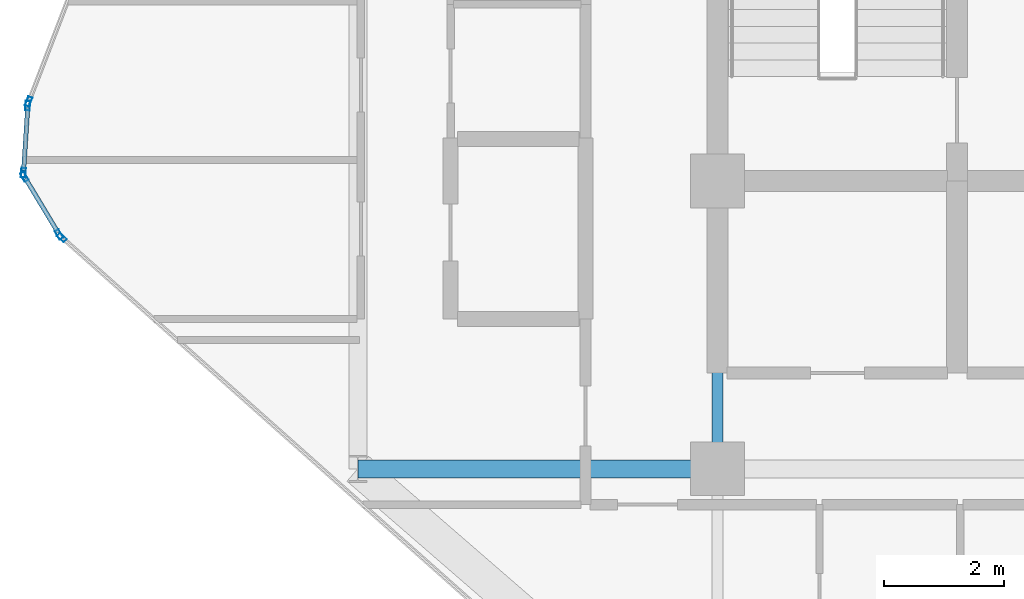
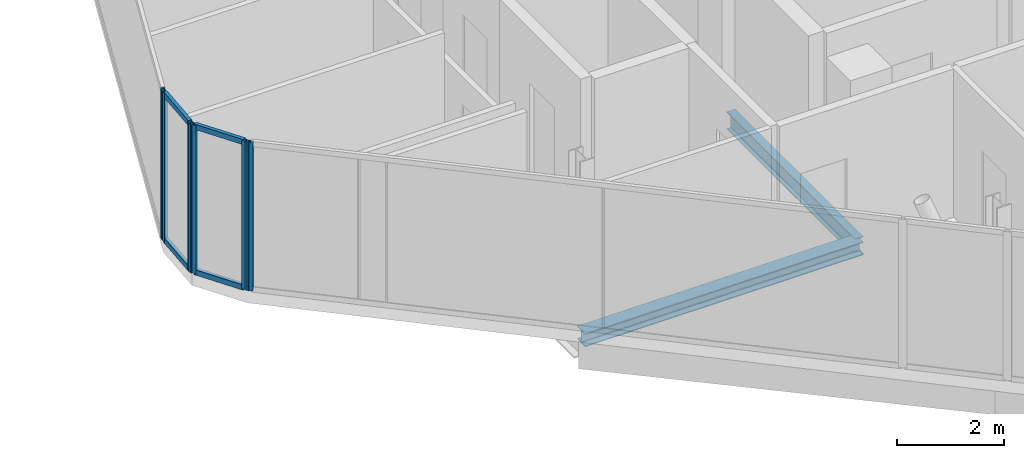
# One storey, part 8 of 29: 10 members, 2 beams, 4 elements without a shape of their own.
"""IFC4 building model written with IfcOpenShell, lengths in metres."""

from ifc_helpers import new_model, si_unit, direction, frame, origin, origin_2d, place, context, subcontext, project, spatial, hollow_rectangle, i_section, extrude, material, layer, layer_set, material_profile, profile_set, type_object, element, aggregate, save


model = new_model("IFC4")

# Units and contexts
model_context = context("Model", 3, precision=1e-05, world=origin(), true_north=direction((0.0, 1.0)))
body_context = subcontext(model_context, "Body", "Model", "MODEL_VIEW")
ifc_project = project(units=[si_unit("LENGTHUNIT", "METRE"), si_unit("AREAUNIT", "SQUARE_METRE"), si_unit("VOLUMEUNIT", "CUBIC_METRE"), si_unit("PLANEANGLEUNIT", "RADIAN"), si_unit("MASSUNIT", "GRAM", prefix="KILO")], contexts=[model_context])

# Site, building, storey
site_placement = place(None, origin())
site = spatial("IfcSite", under=ifc_project, at=site_placement, CompositionType="ELEMENT")
building_placement = place(site_placement, origin())
building = spatial("IfcBuilding", under=site, at=building_placement, Name="Keshet Zoharim Tower", CompositionType="ELEMENT")
storey_placement = place(building_placement, frame((0.0, 0.0, 192.10009765625)))
storey = spatial("IfcBuildingStorey", under=building, at=storey_placement, Name="L47", CompositionType="ELEMENT", Elevation=192.10009765625)

# Beams
ifc_material_1 = material(Name="Steel S355", Category="steel")
ifc_material_profile_1 = material_profile(ifc_material_1, i_section(OverallWidth=0.300048828125, OverallDepth=0.300048828125, WebThickness=0.010986328125, FlangeThickness=0.01904296875, FilletRadius=0.027099609375, at=origin_2d()), Name="HEB300")
ifc_profile_set_1 = profile_set([ifc_material_profile_1], Name="Steel S355")
beam_type_1 = type_object("IfcBeamType", Name="BM-PRI-HB300", PredefinedType="BEAM", material=ifc_profile_set_1)
beam_1_placement = place(storey_placement, frame((9.0, 17.89990234375, -0.460205078125), z_axis=(1.0, 0.0, 0.0), x_axis=(0.0, 1.0, 0.0)))
element("IfcBeam", 1, at=beam_1_placement, inside=storey, type_object=beam_type_1, Name="L47 Primary Girder X-011", PredefinedType="BEAM", context=body_context, shape_type="SweptSolid", body=[
    extrude(i_section(OverallWidth=0.300048828125, OverallDepth=0.300048828125, WebThickness=0.010986328125, FlangeThickness=0.01904296875, FilletRadius=0.027099609375, at=origin_2d()), origin(), (0.0, 0.0, 1.0), 6.0),
])
ifc_material_profile_2 = material_profile(ifc_material_1, i_section(OverallWidth=0.179931640625, OverallDepth=0.39990234375, WebThickness=0.008544921875, FlangeThickness=0.013427734375, FilletRadius=0.02099609375, at=origin_2d()), Name="IPE400")
ifc_profile_set_2 = profile_set([ifc_material_profile_2], Name="Steel S355")
beam_type_2 = type_object("IfcBeamType", Name="BM-PRI-IP400", PredefinedType="BEAM", material=ifc_profile_set_2)
beam_2_placement = place(storey_placement, frame((15.0, 17.89990234375, -0.510009765625), z_axis=(0.0, 1.0, 0.0), x_axis=(-1.0, 0.0, 0.0)))
element("IfcBeam", 2, at=beam_2_placement, inside=storey, type_object=beam_type_2, Name="L47 Primary Girder Y-003", PredefinedType="BEAM", context=body_context, shape_type="SweptSolid", body=[
    extrude(i_section(OverallWidth=0.179931640625, OverallDepth=0.39990234375, WebThickness=0.008544921875, FlangeThickness=0.013427734375, FilletRadius=0.02099609375, at=origin_2d()), origin(), (0.0, 0.0, 1.0), 4.800048828125),
])

# Curtain wall, member
ifc_material_2 = material(Name="Aluminium 6063-T6", Category="aluminium")
ifc_layer = layer(ifc_material_2, 0.139892578125)
ifc_layer_set = layer_set([ifc_layer], Name="Aluminium 6063-T6")
curtain_wall_type = type_object("IfcCurtainWallType", Name="CW-SYS-05", PredefinedType="NOTDEFINED", material=ifc_layer_set)
curtain_wall_1_placement = place(storey_placement, origin())
curtain_wall_1 = element("IfcCurtainWall", 3, at=curtain_wall_1_placement, inside=storey, type_object=curtain_wall_type, Name="L47 Unitised Curtain Wall 10 Part 3", PredefinedType="NOTDEFINED")
ifc_material_profile_3 = material_profile(ifc_material_2, hollow_rectangle(XDim=0.074951171875, YDim=0.159912109375, WallThickness=0.00390625, at=origin_2d()), Name="MUL-75x160")
ifc_profile_set_3 = profile_set([ifc_material_profile_3], Name="Aluminium 6063-T6")
member_type_1 = type_object("IfcMemberType", Name="CWM-M15", PredefinedType="MULLION", material=ifc_profile_set_3)
member_1_placement = place(storey_placement, frame((4.061279296875, 21.7568359375, 0.0), z_axis=(0.0, 0.0, 1.0), x_axis=(-0.664366823013, -0.747406666066, 0.0)))
member_1 = element("IfcMember", 4, at=member_1_placement, type_object=member_type_1, Name="CW-05 mullion 2", PredefinedType="MULLION", context=body_context, shape_type="SweptSolid", body=[
    extrude(hollow_rectangle(XDim=0.074951171875, YDim=0.159912109375, WallThickness=0.00390625, at=origin_2d()), origin(), (0.0, 0.0, 1.0), 3.389892578125),
])
aggregate(curtain_wall_1, [member_1])

# Curtain wall, members
curtain_wall_2_placement = place(storey_placement, origin())
curtain_wall_2 = element("IfcCurtainWall", 5, at=curtain_wall_2_placement, inside=storey, type_object=curtain_wall_type, Name="L47 Unitised Curtain Wall 11", PredefinedType="NOTDEFINED")
member_2_placement = place(storey_placement, frame((4.016845703125, 21.81005859375, 0.0), z_axis=(0.0, 0.0, 1.0), x_axis=(-0.856826433805, -0.515604947933, 0.0)))
member_2 = element("IfcMember", 6, at=member_2_placement, type_object=member_type_1, Name="CW-05 mullion 1", PredefinedType="MULLION", context=body_context, shape_type="SweptSolid", body=[
    extrude(hollow_rectangle(XDim=0.074951171875, YDim=0.159912109375, WallThickness=0.00390625, at=origin_2d()), origin(), (0.0, 0.0, 1.0), 3.389892578125),
])
member_3_placement = place(storey_placement, frame((3.43798828125, 22.77197265625, 0.0), z_axis=(0.0, 0.0, 1.0), x_axis=(-0.856826433805, -0.515604947933, 0.0)))
member_3 = element("IfcMember", 7, at=member_3_placement, type_object=member_type_1, Name="CW-05 mullion 2", PredefinedType="MULLION", context=body_context, shape_type="SweptSolid", body=[
    extrude(hollow_rectangle(XDim=0.074951171875, YDim=0.159912109375, WallThickness=0.00390625, at=origin_2d()), origin(), (0.0, 0.0, 1.0), 3.389892578125),
])

curtain_wall_3_placement = place(storey_placement, origin())
curtain_wall_3 = element("IfcCurtainWall", 8, at=curtain_wall_3_placement, inside=storey, type_object=curtain_wall_type, Name="L47 Unitised Curtain Wall 12", PredefinedType="NOTDEFINED")
member_4_placement = place(storey_placement, frame((3.42236328125, 22.8369140625, 0.0), z_axis=(0.0, 0.0, 1.0), x_axis=(-0.997916617186, 0.064516859374, 0.0)))
member_4 = element("IfcMember", 9, at=member_4_placement, type_object=member_type_1, Name="CW-05 mullion 1", PredefinedType="MULLION", context=body_context, shape_type="SweptSolid", body=[
    extrude(hollow_rectangle(XDim=0.074951171875, YDim=0.159912109375, WallThickness=0.00390625, at=origin_2d()), origin(), (0.0, 0.0, 1.0), 3.389892578125),
])
member_5_placement = place(storey_placement, frame((3.49462890625, 23.9580078125, 0.0), z_axis=(0.0, 0.0, 1.0), x_axis=(-0.997916617186, 0.064516859374, 0.0)))
member_5 = element("IfcMember", 10, at=member_5_placement, type_object=member_type_1, Name="CW-05 mullion 2", PredefinedType="MULLION", context=body_context, shape_type="SweptSolid", body=[
    extrude(hollow_rectangle(XDim=0.074951171875, YDim=0.159912109375, WallThickness=0.00390625, at=origin_2d()), origin(), (0.0, 0.0, 1.0), 3.389892578125),
])

# Curtain wall, member
curtain_wall_4_placement = place(storey_placement, origin())
curtain_wall_4 = element("IfcCurtainWall", 11, at=curtain_wall_4_placement, inside=storey, type_object=curtain_wall_type, Name="L47 Unitised Curtain Wall 13", PredefinedType="NOTDEFINED")
member_6_placement = place(storey_placement, frame((3.509521484375, 24.025634765625, 0.0), z_axis=(0.0, 0.0, 1.0), x_axis=(-0.933341404361, 0.358990003907, 0.0)))
member_6 = element("IfcMember", 12, at=member_6_placement, type_object=member_type_1, Name="CW-05 mullion 1", PredefinedType="MULLION", context=body_context, shape_type="SweptSolid", body=[
    extrude(hollow_rectangle(XDim=0.074951171875, YDim=0.159912109375, WallThickness=0.00390625, at=origin_2d()), origin(), (0.0, 0.0, 1.0), 3.389892578125),
])
aggregate(curtain_wall_4, [member_6])

# Member
ifc_material_profile_4 = material_profile(ifc_material_2, hollow_rectangle(XDim=0.074951171875, YDim=0.1201171875, WallThickness=0.00390625, at=origin_2d()), Name="TRN-75x120")
ifc_profile_set_4 = profile_set([ifc_material_profile_4], Name="Aluminium 6063-T6")
member_type_2 = type_object("IfcMemberType", Name="CWT-T12", PredefinedType="USERDEFINED", material=ifc_profile_set_4)
member_7_placement = place(storey_placement, frame((3.9990234375, 21.840087890625, 0.034912109375), z_axis=(-0.515791194107, 0.856714330499, 0.0), x_axis=(-0.856714330499, -0.515791194107, 0.0)))
member_7 = element("IfcMember", 13, at=member_7_placement, type_object=member_type_2, Name="CW-05 transom 1.1", ObjectType="TRANSOM", PredefinedType="USERDEFINED", context=body_context, shape_type="SweptSolid", body=[
    extrude(hollow_rectangle(XDim=0.074951171875, YDim=0.1201171875, WallThickness=0.00390625, at=origin_2d()), origin(), (0.0, 0.0, 1.0), 1.052734375),
])

member_8_placement = place(storey_placement, frame((3.9990234375, 21.840087890625, 3.35498046875), z_axis=(-0.515791194107, 0.856714330499, 0.0), x_axis=(-0.856714330499, -0.515791194107, 0.0)))
member_8 = element("IfcMember", 14, at=member_8_placement, type_object=member_type_2, Name="CW-05 transom 1.2", ObjectType="TRANSOM", PredefinedType="USERDEFINED", context=body_context, shape_type="SweptSolid", body=[
    extrude(hollow_rectangle(XDim=0.074951171875, YDim=0.1201171875, WallThickness=0.00390625, at=origin_2d()), origin(), (0.0, 0.0, 1.0), 1.052734375),
])

aggregate(curtain_wall_2, [member_2, member_3, member_7, member_8])

member_9_placement = place(storey_placement, frame((3.424560546875, 22.871826171875, 0.034912109375), z_axis=(0.064426947155, 0.997922426083, 0.0), x_axis=(-0.997922426083, 0.064426947155, 0.0)))
member_9 = element("IfcMember", 15, at=member_9_placement, type_object=member_type_2, Name="CW-05 transom 1.1", ObjectType="TRANSOM", PredefinedType="USERDEFINED", context=body_context, shape_type="SweptSolid", body=[
    extrude(hollow_rectangle(XDim=0.074951171875, YDim=0.1201171875, WallThickness=0.00390625, at=origin_2d()), origin(), (0.0, 0.0, 1.0), 1.053466796875),
])

member_10_placement = place(storey_placement, frame((3.424560546875, 22.871826171875, 3.35498046875), z_axis=(0.064426947155, 0.997922426083, 0.0), x_axis=(-0.997922426083, 0.064426947155, 0.0)))
member_10 = element("IfcMember", 16, at=member_10_placement, type_object=member_type_2, Name="CW-05 transom 1.2", ObjectType="TRANSOM", PredefinedType="USERDEFINED", context=body_context, shape_type="SweptSolid", body=[
    extrude(hollow_rectangle(XDim=0.074951171875, YDim=0.1201171875, WallThickness=0.00390625, at=origin_2d()), origin(), (0.0, 0.0, 1.0), 1.053466796875),
])

aggregate(curtain_wall_3, [member_4, member_5, member_9, member_10])

save(model, "model.ifc")
